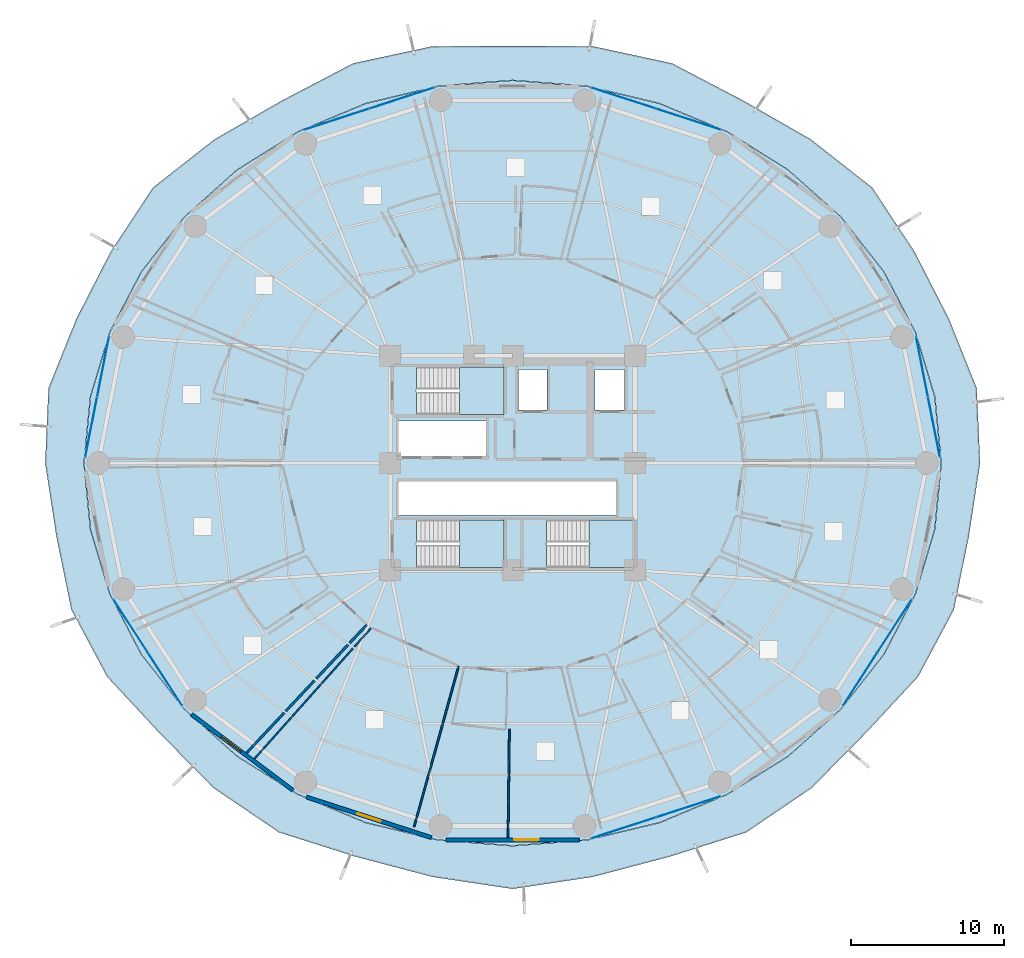
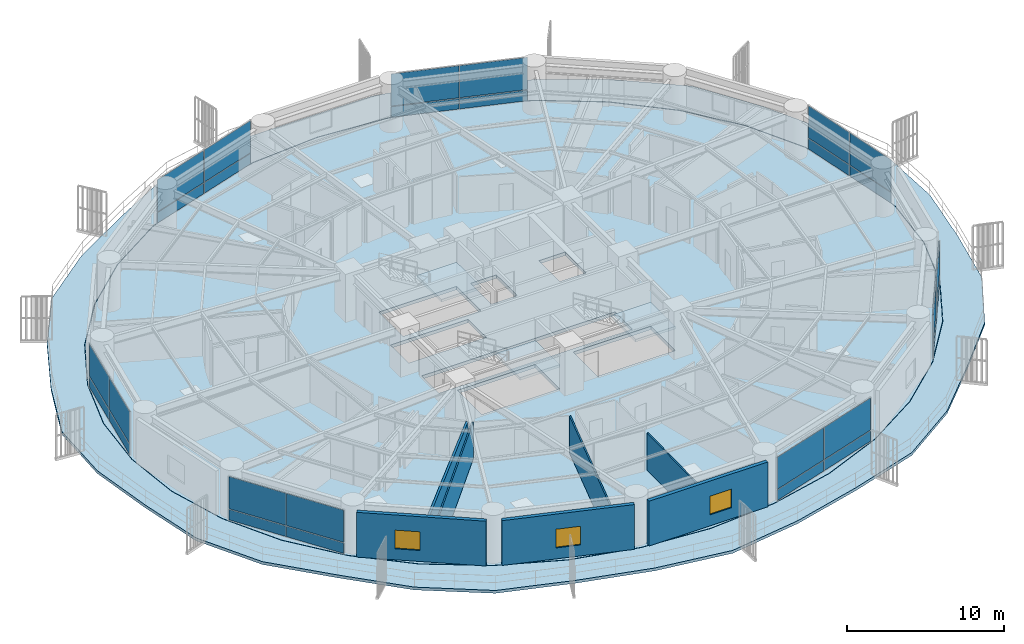
# One storey, part 23 of 34: 28 plates, 7 walls, 5 slabs, 3 windows, 3 openings, 10 elements without a shape of their own.
"""IFC4 building model written with IfcOpenShell, lengths in metres."""

from ifc_helpers import new_model, si_unit, direction, frame, frame_2d, origin, origin_2d, place, context, subcontext, project, spatial, polyline, rectangle, outline, extrude, source, transform, mapped, material, layer, layer_set, type_object, element, fill, aggregate, save


model = new_model("IFC4")

# Units and contexts
model_context = context("Model", 3, precision=1e-05, world=origin(), true_north=direction((0.0, 1.0)))
body_context = subcontext(model_context, "Body", "Model", "MODEL_VIEW")
ifc_project = project(units=[si_unit("LENGTHUNIT", "METRE"), si_unit("AREAUNIT", "SQUARE_METRE"), si_unit("VOLUMEUNIT", "CUBIC_METRE"), si_unit("PLANEANGLEUNIT", "RADIAN"), si_unit("MASSUNIT", "GRAM", prefix="KILO")], contexts=[model_context])

# Site, building, storey
site_placement = place(None, origin())
site = spatial("IfcSite", under=ifc_project, at=site_placement, CompositionType="ELEMENT")
building_placement = place(site_placement, origin())
building = spatial("IfcBuilding", under=site, at=building_placement, Name="Kelanora Arch Commons", CompositionType="ELEMENT")
storey_placement = place(building_placement, frame((0.0, 0.0, 30.0)))
storey = spatial("IfcBuildingStorey", under=building, at=storey_placement, Name="L07", CompositionType="ELEMENT", Elevation=30.0)

# Stair, slab
ifc_material_1 = material(Name="Concrete C40/50", Category="concrete")
stair_type = type_object("IfcStairType", Name="STR-DL-375", PredefinedType="HALF_TURN_STAIR", material=ifc_material_1)
stair_1_placement = place(storey_placement, origin())
stair_1 = element("IfcStair", 1, at=stair_1_placement, inside=storey, type_object=stair_type, Name="L07 ST-T1", PredefinedType="HALF_TURN_STAIR")
ifc_layer_1 = layer(ifc_material_1, 0.199951171875)
ifc_layer_set_1 = layer_set([ifc_layer_1], Name="Concrete C40/50")
slab_type_1 = type_object("IfcSlabType", Name="SLB-STAIR-LND", PredefinedType="LANDING", material=ifc_layer_set_1)
slab_1_placement = place(storey_placement, frame((0.0, 0.0, 1.675048828125)))
slab_1 = element("IfcSlab", 2, at=slab_1_placement, type_object=slab_type_1, Name="ST-T1 landing 1", PredefinedType="LANDING", context=body_context, shape_type="SweptSolid", body=[
    extrude(outline(polyline([(70.52001953125, 61.179931640625), (73.43994140625, 61.179931640625), (73.43994140625, 64.2900390625), (70.52001953125, 64.2900390625), (70.52001953125, 61.179931640625)])), origin(), (0.0, 0.0, 1.0), 0.199951171875),
])
aggregate(stair_1, [slab_1])

stair_2_placement = place(storey_placement, origin())
stair_2 = element("IfcStair", 3, at=stair_2_placement, inside=storey, type_object=stair_type, Name="L07 ST-T2", PredefinedType="HALF_TURN_STAIR")
slab_2_placement = place(storey_placement, frame((0.0, 0.0, 1.675048828125)))
slab_2 = element("IfcSlab", 4, at=slab_2_placement, type_object=slab_type_1, Name="ST-T2 landing 1", PredefinedType="LANDING", context=body_context, shape_type="SweptSolid", body=[
    extrude(outline(polyline([(79.0, 51.179931640625), (81.919921875, 51.179931640625), (81.919921875, 54.2900390625), (79.0, 54.2900390625), (79.0, 51.179931640625)])), origin(), (0.0, 0.0, 1.0), 0.199951171875),
])
aggregate(stair_2, [slab_2])

stair_3_placement = place(storey_placement, origin())
stair_3 = element("IfcStair", 5, at=stair_3_placement, inside=storey, type_object=stair_type, Name="L07 ST-T3", PredefinedType="HALF_TURN_STAIR")
slab_3_placement = place(storey_placement, frame((0.0, 0.0, 1.675048828125)))
slab_3 = element("IfcSlab", 6, at=slab_3_placement, type_object=slab_type_1, Name="ST-T3 landing 1", PredefinedType="LANDING", context=body_context, shape_type="SweptSolid", body=[
    extrude(outline(polyline([(70.52001953125, 51.179931640625), (73.43994140625, 51.179931640625), (73.43994140625, 54.2900390625), (70.52001953125, 54.2900390625), (70.52001953125, 51.179931640625)])), origin(), (0.0, 0.0, 1.0), 0.199951171875),
])
aggregate(stair_3, [slab_3])

# Slabs
ifc_layer_2 = layer(ifc_material_1, 0.260009765625)
ifc_layer_set_2 = layer_set([ifc_layer_2], Name="Concrete C40/50")
slab_type_2 = type_object("IfcSlabType", Name="SLB-TWR-TYP", PredefinedType="FLOOR", material=ifc_layer_set_2)
slab_4_placement = place(storey_placement, frame((0.0, 0.0, -0.260009765625)))
element("IfcSlab", 7, at=slab_4_placement, inside=storey, type_object=slab_type_2, Name="Tower Floor Slab L07", PredefinedType="FLOOR", context=body_context, shape_type="SweptSolid", body=[
    extrude(outline(polyline([(102.0, 58.0), (101.57470703125, 62.34130859375), (100.311279296875, 66.550537109375), (98.248779296875, 70.5), (95.44921875, 74.069580078125), (91.998046875, 77.151123046875), (88.0, 79.650634765625), (83.57666015625, 81.4921875), (78.862060546875, 82.6201171875), (74.0, 83.0), (69.137939453125, 82.6201171875), (64.42333984375, 81.4921875), (60.0, 79.650634765625), (56.001953125, 77.151123046875), (52.55078125, 74.069580078125), (49.751220703125, 70.5), (47.688720703125, 66.550537109375), (46.42529296875, 62.34130859375), (46.0, 58.0), (46.42529296875, 53.65869140625), (47.688720703125, 49.449462890625), (49.751220703125, 45.5), (52.55078125, 41.930419921875), (56.001953125, 38.848876953125), (60.0, 36.349365234375), (64.42333984375, 34.5078125), (69.137939453125, 33.3798828125), (74.0, 33.0), (78.862060546875, 33.3798828125), (83.57666015625, 34.5078125), (88.0, 36.349365234375), (91.998046875, 38.848876953125), (95.44921875, 41.930419921875), (98.248779296875, 45.5), (100.311279296875, 49.449462890625), (101.57470703125, 53.65869140625), (102.0, 58.0)]), holes=[polyline([(73.431884765625, 51.18798828125), (67.72802734375, 51.18798828125), (67.72802734375, 54.281982421875), (73.431884765625, 54.281982421875), (73.431884765625, 51.18798828125)]), polyline([(76.2080078125, 51.18798828125), (76.2080078125, 54.281982421875), (81.912109375, 54.281982421875), (81.912109375, 51.18798828125), (76.2080078125, 51.18798828125)]), polyline([(66.550048828125, 54.60009765625), (66.550048828125, 56.800048828125), (80.75, 56.800048828125), (80.75, 54.60009765625), (66.550048828125, 54.60009765625)]), polyline([(66.550048828125, 58.449951171875), (66.550048828125, 60.75), (72.25, 60.75), (72.25, 58.449951171875), (66.550048828125, 58.449951171875)]), polyline([(67.72802734375, 61.18798828125), (67.72802734375, 64.281982421875), (73.431884765625, 64.281982421875), (73.431884765625, 61.18798828125), (67.72802734375, 61.18798828125)]), polyline([(74.3798828125, 61.47998046875), (74.3798828125, 64.1201171875), (76.260009765625, 64.1201171875), (76.260009765625, 61.47998046875), (74.3798828125, 61.47998046875)]), polyline([(79.3798828125, 61.47998046875), (79.3798828125, 64.1201171875), (81.320068359375, 64.1201171875), (81.320068359375, 61.47998046875), (79.3798828125, 61.47998046875)])]), origin(), (0.0, 0.0, 1.0), 0.260009765625),
])
ifc_layer_3 = layer(ifc_material_1, 0.219970703125)
ifc_layer_set_3 = layer_set([ifc_layer_3], Name="Concrete C40/50")
slab_type_3 = type_object("IfcSlabType", Name="SLB-WAVE-BAL", PredefinedType="FLOOR", material=ifc_layer_set_3)
slab_5_placement = place(storey_placement, frame((0.0, 0.0, -0.219970703125)))
element("IfcSlab", 8, at=slab_5_placement, inside=storey, type_object=slab_type_3, Name="Sinusoidal Wave Balcony Slab L07", PredefinedType="FLOOR", context=body_context, shape_type="SweptSolid", body=[
    extrude(outline(polyline([(104.544921875, 58.0), (104.32958984375, 62.88525390625), (102.50146484375, 67.443359375), (100.268310546875, 71.805908203125), (97.504638671875, 76.00146484375), (93.494873046875, 79.14892578125), (89.054931640625, 81.697265625), (84.429443359375, 84.11669921875), (79.272705078125, 85.228759765625), (74.0, 85.264892578125), (68.727294921875, 85.228759765625), (63.570556640625, 84.11669921875), (58.945068359375, 81.697265625), (54.505126953125, 79.14892578125), (50.495361328125, 76.00146484375), (47.731689453125, 71.805908203125), (45.49853515625, 67.443359375), (43.67041015625, 62.88525390625), (43.455078125, 58.0), (44.186767578125, 53.216796875), (45.165283203125, 48.4208984375), (47.49658203125, 44.0419921875), (50.897216796875, 40.376220703125), (54.44677734375, 36.773193359375), (58.722900390625, 33.87158203125), (63.703125, 32.291259765625), (68.7568359375, 30.96044921875), (74.0, 30.175048828125), (79.2431640625, 30.96044921875), (84.296875, 32.291259765625), (89.277099609375, 33.87158203125), (93.55322265625, 36.773193359375), (97.102783203125, 40.376220703125), (100.50341796875, 44.0419921875), (102.834716796875, 48.4208984375), (103.813232421875, 53.216796875), (104.544921875, 58.0)]), holes=[polyline([(101.59423828125, 53.6552734375), (100.330078125, 49.442626953125), (98.26611328125, 45.489990234375), (95.464599609375, 41.91748046875), (92.010986328125, 38.83349609375), (88.010009765625, 36.33203125), (83.58349609375, 34.489013671875), (78.865478515625, 33.360107421875), (74.0, 32.97998046875), (69.134521484375, 33.360107421875), (64.41650390625, 34.489013671875), (59.989990234375, 36.33203125), (55.989013671875, 38.83349609375), (52.535400390625, 41.91748046875), (49.73388671875, 45.489990234375), (47.669921875, 49.442626953125), (46.40576171875, 53.6552734375), (45.97998046875, 58.0), (46.40576171875, 62.3447265625), (47.669921875, 66.557373046875), (49.73388671875, 70.510009765625), (52.535400390625, 74.08251953125), (55.989013671875, 77.16650390625), (59.989990234375, 79.66796875), (64.41650390625, 81.510986328125), (69.134521484375, 82.639892578125), (74.0, 83.02001953125), (78.865478515625, 82.639892578125), (83.58349609375, 81.510986328125), (88.010009765625, 79.66796875), (92.010986328125, 77.16650390625), (95.464599609375, 74.08251953125), (98.26611328125, 70.510009765625), (100.330078125, 66.557373046875), (101.59423828125, 62.3447265625), (102.02001953125, 58.0), (101.59423828125, 53.6552734375)])]), origin(), (0.0, 0.0, 1.0), 0.219970703125),
])

# Curtain wall, plates
ifc_material_2 = material(Name="Terracotta ceramic-fritted low-E glass and aluminium", Category="masonry")
ifc_layer_4 = layer(ifc_material_2, 0.159912109375)
ifc_layer_set_4 = layer_set([ifc_layer_4], Name="Terracotta ceramic-fritted low-E glass and aluminium")
curtain_wall_type = type_object("IfcCurtainWallType", Name="CW-SYS-01", PredefinedType="NOTDEFINED", material=ifc_layer_set_4)
curtain_wall_1_placement = place(storey_placement, origin())
curtain_wall_1 = element("IfcCurtainWall", 9, at=curtain_wall_1_placement, inside=storey, type_object=curtain_wall_type, Name="Unitised Curtain Wall L07-B00", PredefinedType="NOTDEFINED")
ifc_material_3 = material(Name="Terracotta ceramic-fritted double glazing", Category="masonry")
ifc_layer_5 = layer(ifc_material_3, 0.028076171875)
ifc_layer_set_5 = layer_set([ifc_layer_5], Name="Terracotta ceramic-fritted double glazing")
plate_type = type_object("IfcPlateType", Name="CWP-FRIT", PredefinedType="CURTAIN_PANEL", material=ifc_layer_set_5)
shared_shape_1 = source(origin(), body_context, "Body", "SweptSolid", [
    extrude(rectangle(XDim=3.9482421875, YDim=0.028076171875, at=origin_2d()), origin(), (0.0, 0.0, 1.0), 0.81005859375),
])
plate_1_placement = place(storey_placement, frame((101.536865234375, 60.34521484375, 0.06005859375), z_axis=(0.0, 0.0, 1.0), x_axis=(-0.193744048498, 0.981052110579, 0.0)))
plate_1 = element("IfcPlate", 10, at=plate_1_placement, type_object=plate_type, Name="CW-01 panel 1.1", PredefinedType="CURTAIN_PANEL", context=body_context, shape_type="MappedRepresentation", body=[
    mapped(shared_shape_1, transform((0.0, 0.0, 0.0), scale=1.0)),
])
plate_2_placement = place(storey_placement, frame((100.76025390625, 64.277587890625, 0.06005859375), z_axis=(0.0, 0.0, 1.0), x_axis=(-0.193744048498, 0.981052110579, 0.0)))
plate_2 = element("IfcPlate", 11, at=plate_2_placement, type_object=plate_type, Name="CW-01 panel 2.1", PredefinedType="CURTAIN_PANEL", context=body_context, shape_type="MappedRepresentation", body=[
    mapped(shared_shape_1, transform((0.0, 0.0, 0.0), scale=1.0)),
])

curtain_wall_2_placement = place(storey_placement, origin())
curtain_wall_2 = element("IfcCurtainWall", 12, at=curtain_wall_2_placement, inside=storey, type_object=curtain_wall_type, Name="Unitised Curtain Wall L07-B08", PredefinedType="NOTDEFINED")
plate_3_placement = place(storey_placement, frame((47.23974609375, 64.277587890625, 0.06005859375), z_axis=(0.0, 0.0, 1.0), x_axis=(-0.193744048498, -0.981052110579, 0.0)))
plate_3 = element("IfcPlate", 13, at=plate_3_placement, type_object=plate_type, Name="CW-01 panel 1.1", PredefinedType="CURTAIN_PANEL", context=body_context, shape_type="MappedRepresentation", body=[
    mapped(shared_shape_1, transform((0.0, 0.0, 0.0), scale=1.0)),
])
plate_4_placement = place(storey_placement, frame((46.463134765625, 60.34521484375, 0.06005859375), z_axis=(0.0, 0.0, 1.0), x_axis=(-0.193744048498, -0.981052110579, 0.0)))
plate_4 = element("IfcPlate", 14, at=plate_4_placement, type_object=plate_type, Name="CW-01 panel 2.1", PredefinedType="CURTAIN_PANEL", context=body_context, shape_type="MappedRepresentation", body=[
    mapped(shared_shape_1, transform((0.0, 0.0, 0.0), scale=1.0)),
])

# Plate
shared_shape_2 = source(origin(), body_context, "Body", "SweptSolid", [
    extrude(rectangle(XDim=3.9482421875, YDim=0.028076171875, at=origin_2d()), origin(), (0.0, 0.0, 1.0), 2.485107421875),
])
plate_5_placement = place(storey_placement, frame((101.536865234375, 60.34521484375, 0.93017578125), z_axis=(0.0, 0.0, 1.0), x_axis=(-0.193744048498, 0.981052110579, 0.0)))
plate_5 = element("IfcPlate", 15, at=plate_5_placement, type_object=plate_type, Name="CW-01 panel 1.2", PredefinedType="CURTAIN_PANEL", context=body_context, shape_type="MappedRepresentation", body=[
    mapped(shared_shape_2, transform((0.0, 0.0, 0.0), scale=1.0)),
])

plate_6_placement = place(storey_placement, frame((100.76025390625, 64.277587890625, 0.93017578125), z_axis=(0.0, 0.0, 1.0), x_axis=(-0.193744048498, 0.981052110579, 0.0)))
plate_6 = element("IfcPlate", 16, at=plate_6_placement, type_object=plate_type, Name="CW-01 panel 2.2", PredefinedType="CURTAIN_PANEL", context=body_context, shape_type="MappedRepresentation", body=[
    mapped(shared_shape_2, transform((0.0, 0.0, 0.0), scale=1.0)),
])

aggregate(curtain_wall_1, [plate_1, plate_5, plate_2, plate_6])

plate_7_placement = place(storey_placement, frame((47.23974609375, 64.277587890625, 0.93017578125), z_axis=(0.0, 0.0, 1.0), x_axis=(-0.193744048498, -0.981052110579, 0.0)))
plate_7 = element("IfcPlate", 17, at=plate_7_placement, type_object=plate_type, Name="CW-01 panel 1.2", PredefinedType="CURTAIN_PANEL", context=body_context, shape_type="MappedRepresentation", body=[
    mapped(shared_shape_2, transform((0.0, 0.0, 0.0), scale=1.0)),
])

plate_8_placement = place(storey_placement, frame((46.463134765625, 60.34521484375, 0.93017578125), z_axis=(0.0, 0.0, 1.0), x_axis=(-0.193744048498, -0.981052110579, 0.0)))
plate_8 = element("IfcPlate", 18, at=plate_8_placement, type_object=plate_type, Name="CW-01 panel 2.2", PredefinedType="CURTAIN_PANEL", context=body_context, shape_type="MappedRepresentation", body=[
    mapped(shared_shape_2, transform((0.0, 0.0, 0.0), scale=1.0)),
])

aggregate(curtain_wall_2, [plate_3, plate_7, plate_4, plate_8])

# Curtain wall, plates
curtain_wall_3_placement = place(storey_placement, origin())
curtain_wall_3 = element("IfcCurtainWall", 19, at=curtain_wall_3_placement, inside=storey, type_object=curtain_wall_type, Name="Unitised Curtain Wall L07-B03", PredefinedType="NOTDEFINED")
shared_shape_3 = source(origin(), body_context, "Body", "SweptSolid", [
    extrude(rectangle(XDim=4.39453125, YDim=0.028076171875, at=origin_2d()), origin(), (0.0, 0.0, 1.0), 0.81005859375),
])
plate_9_placement = place(storey_placement, frame((85.4892578125, 80.466552734375, 0.06005859375), z_axis=(0.0, 0.0, 1.0), x_axis=(-0.951043326793, 0.30905758454, 0.0)))
plate_9 = element("IfcPlate", 20, at=plate_9_placement, type_object=plate_type, Name="CW-01 panel 1.1", PredefinedType="CURTAIN_PANEL", context=body_context, shape_type="MappedRepresentation", body=[
    mapped(shared_shape_3, transform((0.0, 0.0, 0.0), scale=1.0)),
])
plate_10_placement = place(storey_placement, frame((81.252685546875, 81.84326171875, 0.06005859375), z_axis=(0.0, 0.0, 1.0), x_axis=(-0.951043326793, 0.30905758454, 0.0)))
plate_10 = element("IfcPlate", 21, at=plate_10_placement, type_object=plate_type, Name="CW-01 panel 2.1", PredefinedType="CURTAIN_PANEL", context=body_context, shape_type="MappedRepresentation", body=[
    mapped(shared_shape_3, transform((0.0, 0.0, 0.0), scale=1.0)),
])

curtain_wall_4_placement = place(storey_placement, origin())
curtain_wall_4 = element("IfcCurtainWall", 22, at=curtain_wall_4_placement, inside=storey, type_object=curtain_wall_type, Name="Unitised Curtain Wall L07-B05", PredefinedType="NOTDEFINED")
plate_11_placement = place(storey_placement, frame((66.747314453125, 81.84326171875, 0.06005859375), z_axis=(0.0, 0.0, 1.0), x_axis=(-0.951043326793, -0.30905758454, 0.0)))
plate_11 = element("IfcPlate", 23, at=plate_11_placement, type_object=plate_type, Name="CW-01 panel 1.1", PredefinedType="CURTAIN_PANEL", context=body_context, shape_type="MappedRepresentation", body=[
    mapped(shared_shape_3, transform((0.0, 0.0, 0.0), scale=1.0)),
])
plate_12_placement = place(storey_placement, frame((62.5107421875, 80.466552734375, 0.06005859375), z_axis=(0.0, 0.0, 1.0), x_axis=(-0.951043326793, -0.30905758454, 0.0)))
plate_12 = element("IfcPlate", 24, at=plate_12_placement, type_object=plate_type, Name="CW-01 panel 2.1", PredefinedType="CURTAIN_PANEL", context=body_context, shape_type="MappedRepresentation", body=[
    mapped(shared_shape_3, transform((0.0, 0.0, 0.0), scale=1.0)),
])

curtain_wall_5_placement = place(storey_placement, origin())
curtain_wall_5 = element("IfcCurtainWall", 25, at=curtain_wall_5_placement, inside=storey, type_object=curtain_wall_type, Name="Unitised Curtain Wall L07-B14", PredefinedType="NOTDEFINED")
plate_13_placement = place(storey_placement, frame((81.252685546875, 34.15673828125, 0.06005859375), z_axis=(0.0, 0.0, 1.0), x_axis=(0.951043326793, 0.30905758454, 0.0)))
plate_13 = element("IfcPlate", 26, at=plate_13_placement, type_object=plate_type, Name="CW-01 panel 1.1", PredefinedType="CURTAIN_PANEL", context=body_context, shape_type="MappedRepresentation", body=[
    mapped(shared_shape_3, transform((0.0, 0.0, 0.0), scale=1.0)),
])
plate_14_placement = place(storey_placement, frame((85.4892578125, 35.533447265625, 0.06005859375), z_axis=(0.0, 0.0, 1.0), x_axis=(0.951043326793, 0.30905758454, 0.0)))
plate_14 = element("IfcPlate", 27, at=plate_14_placement, type_object=plate_type, Name="CW-01 panel 2.1", PredefinedType="CURTAIN_PANEL", context=body_context, shape_type="MappedRepresentation", body=[
    mapped(shared_shape_3, transform((0.0, 0.0, 0.0), scale=1.0)),
])

# Plate
shared_shape_4 = source(origin(), body_context, "Body", "SweptSolid", [
    extrude(rectangle(XDim=4.39453125, YDim=0.028076171875, at=origin_2d()), origin(), (0.0, 0.0, 1.0), 2.485107421875),
])
plate_15_placement = place(storey_placement, frame((85.4892578125, 80.466552734375, 0.93017578125), z_axis=(0.0, 0.0, 1.0), x_axis=(-0.951043326793, 0.30905758454, 0.0)))
plate_15 = element("IfcPlate", 28, at=plate_15_placement, type_object=plate_type, Name="CW-01 panel 1.2", PredefinedType="CURTAIN_PANEL", context=body_context, shape_type="MappedRepresentation", body=[
    mapped(shared_shape_4, transform((0.0, 0.0, 0.0), scale=1.0)),
])

plate_16_placement = place(storey_placement, frame((81.252685546875, 81.84326171875, 0.93017578125), z_axis=(0.0, 0.0, 1.0), x_axis=(-0.951043326793, 0.30905758454, 0.0)))
plate_16 = element("IfcPlate", 29, at=plate_16_placement, type_object=plate_type, Name="CW-01 panel 2.2", PredefinedType="CURTAIN_PANEL", context=body_context, shape_type="MappedRepresentation", body=[
    mapped(shared_shape_4, transform((0.0, 0.0, 0.0), scale=1.0)),
])

aggregate(curtain_wall_3, [plate_9, plate_15, plate_10, plate_16])

plate_17_placement = place(storey_placement, frame((66.747314453125, 81.84326171875, 0.93017578125), z_axis=(0.0, 0.0, 1.0), x_axis=(-0.951043326793, -0.30905758454, 0.0)))
plate_17 = element("IfcPlate", 30, at=plate_17_placement, type_object=plate_type, Name="CW-01 panel 1.2", PredefinedType="CURTAIN_PANEL", context=body_context, shape_type="MappedRepresentation", body=[
    mapped(shared_shape_4, transform((0.0, 0.0, 0.0), scale=1.0)),
])

plate_18_placement = place(storey_placement, frame((62.5107421875, 80.466552734375, 0.93017578125), z_axis=(0.0, 0.0, 1.0), x_axis=(-0.951043326793, -0.30905758454, 0.0)))
plate_18 = element("IfcPlate", 31, at=plate_18_placement, type_object=plate_type, Name="CW-01 panel 2.2", PredefinedType="CURTAIN_PANEL", context=body_context, shape_type="MappedRepresentation", body=[
    mapped(shared_shape_4, transform((0.0, 0.0, 0.0), scale=1.0)),
])

aggregate(curtain_wall_4, [plate_11, plate_17, plate_12, plate_18])

plate_19_placement = place(storey_placement, frame((81.252685546875, 34.15673828125, 0.93017578125), z_axis=(0.0, 0.0, 1.0), x_axis=(0.951043326793, 0.30905758454, 0.0)))
plate_19 = element("IfcPlate", 32, at=plate_19_placement, type_object=plate_type, Name="CW-01 panel 1.2", PredefinedType="CURTAIN_PANEL", context=body_context, shape_type="MappedRepresentation", body=[
    mapped(shared_shape_4, transform((0.0, 0.0, 0.0), scale=1.0)),
])

plate_20_placement = place(storey_placement, frame((85.4892578125, 35.533447265625, 0.93017578125), z_axis=(0.0, 0.0, 1.0), x_axis=(0.951043326793, 0.30905758454, 0.0)))
plate_20 = element("IfcPlate", 33, at=plate_20_placement, type_object=plate_type, Name="CW-01 panel 2.2", PredefinedType="CURTAIN_PANEL", context=body_context, shape_type="MappedRepresentation", body=[
    mapped(shared_shape_4, transform((0.0, 0.0, 0.0), scale=1.0)),
])

aggregate(curtain_wall_5, [plate_13, plate_19, plate_14, plate_20])

# Curtain wall, plates
curtain_wall_6_placement = place(storey_placement, origin())
curtain_wall_6 = element("IfcCurtainWall", 34, at=curtain_wall_6_placement, inside=storey, type_object=curtain_wall_type, Name="Unitised Curtain Wall L07-B10", PredefinedType="NOTDEFINED")
shared_shape_5 = source(origin(), body_context, "Body", "SweptSolid", [
    extrude(rectangle(XDim=4.06787109375, YDim=0.028076171875, at=origin_2d()), origin(), (0.0, 0.0, 1.0), 0.81005859375),
])
plate_21_placement = place(storey_placement, frame((49.04833984375, 47.346435546875, 0.06005859375), z_axis=(0.0, 0.0, 1.0), x_axis=(0.543004441812, -0.83972982332, 0.0)))
plate_21 = element("IfcPlate", 35, at=plate_21_placement, type_object=plate_type, Name="CW-01 panel 1.1", PredefinedType="CURTAIN_PANEL", context=body_context, shape_type="MappedRepresentation", body=[
    mapped(shared_shape_5, transform((0.0, 0.0, 0.0), scale=1.0)),
])
plate_22_placement = place(storey_placement, frame((51.289794921875, 43.880126953125, 0.06005859375), z_axis=(0.0, 0.0, 1.0), x_axis=(0.543004441812, -0.83972982332, 0.0)))
plate_22 = element("IfcPlate", 36, at=plate_22_placement, type_object=plate_type, Name="CW-01 panel 2.1", PredefinedType="CURTAIN_PANEL", context=body_context, shape_type="MappedRepresentation", body=[
    mapped(shared_shape_5, transform((0.0, 0.0, 0.0), scale=1.0)),
])

curtain_wall_7_placement = place(storey_placement, origin())
curtain_wall_7 = element("IfcCurtainWall", 37, at=curtain_wall_7_placement, inside=storey, type_object=curtain_wall_type, Name="Unitised Curtain Wall L07-B16", PredefinedType="NOTDEFINED")
plate_23_placement = place(storey_placement, frame((96.710205078125, 43.880126953125, 0.06005859375), z_axis=(0.0, 0.0, 1.0), x_axis=(0.543004441812, 0.83972982332, 0.0)))
plate_23 = element("IfcPlate", 38, at=plate_23_placement, type_object=plate_type, Name="CW-01 panel 1.1", PredefinedType="CURTAIN_PANEL", context=body_context, shape_type="MappedRepresentation", body=[
    mapped(shared_shape_5, transform((0.0, 0.0, 0.0), scale=1.0)),
])
plate_24_placement = place(storey_placement, frame((98.95166015625, 47.346435546875, 0.06005859375), z_axis=(0.0, 0.0, 1.0), x_axis=(0.543004441812, 0.83972982332, 0.0)))
plate_24 = element("IfcPlate", 39, at=plate_24_placement, type_object=plate_type, Name="CW-01 panel 2.1", PredefinedType="CURTAIN_PANEL", context=body_context, shape_type="MappedRepresentation", body=[
    mapped(shared_shape_5, transform((0.0, 0.0, 0.0), scale=1.0)),
])

# Plate
shared_shape_6 = source(origin(), body_context, "Body", "SweptSolid", [
    extrude(rectangle(XDim=4.06787109375, YDim=0.028076171875, at=origin_2d()), origin(), (0.0, 0.0, 1.0), 2.485107421875),
])
plate_25_placement = place(storey_placement, frame((49.04833984375, 47.346435546875, 0.93017578125), z_axis=(0.0, 0.0, 1.0), x_axis=(0.543004441812, -0.83972982332, 0.0)))
plate_25 = element("IfcPlate", 40, at=plate_25_placement, type_object=plate_type, Name="CW-01 panel 1.2", PredefinedType="CURTAIN_PANEL", context=body_context, shape_type="MappedRepresentation", body=[
    mapped(shared_shape_6, transform((0.0, 0.0, 0.0), scale=1.0)),
])

plate_26_placement = place(storey_placement, frame((51.289794921875, 43.880126953125, 0.93017578125), z_axis=(0.0, 0.0, 1.0), x_axis=(0.543004441812, -0.83972982332, 0.0)))
plate_26 = element("IfcPlate", 41, at=plate_26_placement, type_object=plate_type, Name="CW-01 panel 2.2", PredefinedType="CURTAIN_PANEL", context=body_context, shape_type="MappedRepresentation", body=[
    mapped(shared_shape_6, transform((0.0, 0.0, 0.0), scale=1.0)),
])

aggregate(curtain_wall_6, [plate_21, plate_25, plate_22, plate_26])

plate_27_placement = place(storey_placement, frame((96.710205078125, 43.880126953125, 0.93017578125), z_axis=(0.0, 0.0, 1.0), x_axis=(0.543004441812, 0.83972982332, 0.0)))
plate_27 = element("IfcPlate", 42, at=plate_27_placement, type_object=plate_type, Name="CW-01 panel 1.2", PredefinedType="CURTAIN_PANEL", context=body_context, shape_type="MappedRepresentation", body=[
    mapped(shared_shape_6, transform((0.0, 0.0, 0.0), scale=1.0)),
])

plate_28_placement = place(storey_placement, frame((98.95166015625, 47.346435546875, 0.93017578125), z_axis=(0.0, 0.0, 1.0), x_axis=(0.543004441812, 0.83972982332, 0.0)))
plate_28 = element("IfcPlate", 43, at=plate_28_placement, type_object=plate_type, Name="CW-01 panel 2.2", PredefinedType="CURTAIN_PANEL", context=body_context, shape_type="MappedRepresentation", body=[
    mapped(shared_shape_6, transform((0.0, 0.0, 0.0), scale=1.0)),
])

aggregate(curtain_wall_7, [plate_23, plate_27, plate_24, plate_28])

# Wall
ifc_material_4 = material(Name="Autoclaved aerated concrete blockwork with fire plaster", Category="masonry")
ifc_layer_6 = layer(ifc_material_4, 0.14990234375)
ifc_layer_set_6 = layer_set([ifc_layer_6], Name="Autoclaved aerated concrete blockwork with fire plaster")
wall_type_1 = type_object("IfcWallType", Name="W-COMP-150", PredefinedType="PARTITIONING", material=ifc_layer_set_6)
wall_1_placement = place(storey_placement, frame((64.45849609375, 47.418701171875, 0.0), z_axis=(0.0, 0.0, 1.0), x_axis=(-0.684261294523, -0.729236916796, 0.0)))
element("IfcWall", 44, at=wall_1_placement, inside=storey, type_object=wall_type_1, Name="Co-Living Studio L07-09 Enclosure Partition 2", PredefinedType="PARTITIONING", context=body_context, shape_type="SweptSolid", body=[
    extrude(rectangle(XDim=11.4375, YDim=0.14990234375, at=frame_2d((5.71875, 0.0))), origin(), (0.0, 0.0, 1.0), 2.875),
])

# Wall, opening, window
ifc_material_5 = material(Name="Precast concrete C40/50 with terracotta rainscreen", Category="masonry")
ifc_layer_7 = layer(ifc_material_5, 0.260009765625)
ifc_layer_set_7 = layer_set([ifc_layer_7], Name="Precast concrete C40/50 with terracotta rainscreen")
wall_type_2 = type_object("IfcWallType", Name="W-EXT-TC", PredefinedType="SOLIDWALL", material=ifc_layer_set_7)
wall_2_placement = place(storey_placement, frame((53.01611328125, 41.581787109375, 0.0), z_axis=(0.0, 0.0, 1.0), x_axis=(0.80030733173, -0.599590005569, 0.0)))
wall_2 = element("IfcWall", 45, at=wall_2_placement, inside=storey, type_object=wall_type_2, Name="Terracotta Exterior Wall L07-B11", PredefinedType="SOLIDWALL", context=body_context, shape_type="SweptSolid", body=[
    extrude(rectangle(XDim=8.29052734375, YDim=0.260009765625, at=frame_2d((4.145263671875, 0.0))), origin(), (0.0, 0.0, 1.0), 3.47509765625),
])
opening_1_placement = place(wall_2_placement, frame((2.445068359375, 0.0, 0.85009765625)))
opening_1 = element("IfcOpeningElement", 46, at=opening_1_placement, cuts=wall_2, Name="Opening WN-01", PredefinedType="OPENING", context=body_context, shape_type="SweptSolid", body=[
    extrude(rectangle(XDim=1.60009765625, YDim=1.449951171875, at=frame_2d((0.800048828125, 0.72509765625))), frame((0.0, 0.14013671875, 0.0), z_axis=(0.0, -1.0, 0.0), x_axis=(1.0, 0.0, 0.0)), (0.0, 0.0, 1.0), 0.280029296875),
])
ifc_material_6 = material(Name="Terracotta-anodised aluminium frame with operable low-E glazing", Category="masonry")
window_type = type_object("IfcWindowType", Name="WIN-CL-18", PartitioningType="DOUBLE_PANEL_VERTICAL", PredefinedType="WINDOW", material=ifc_material_6)
window_1_placement = place(opening_1_placement, origin())
window_1 = element("IfcWindow", 47, at=window_1_placement, inside=storey, type_object=window_type, Name="Co-Living Operable Window L07-B11", OverallHeight=1.449951171875, OverallWidth=1.60009765625, PartitioningType="SINGLE_PANEL", PredefinedType="WINDOW", context=body_context, shape_type="SweptSolid", body=[
    extrude(rectangle(XDim=1.60009765625, YDim=1.449951171875, at=frame_2d((0.800048828125, 0.72509765625))), frame((0.0, 0.030029296875, 0.0), z_axis=(0.0, -1.0, 0.0), x_axis=(1.0, 0.0, 0.0)), (0.0, 0.0, 1.0), 0.06005859375),
])
fill(opening_1, window_1)

wall_3_placement = place(storey_placement, frame((60.5263671875, 36.178466796875, 0.0), z_axis=(0.0, 0.0, 1.0), x_axis=(0.951039914291, -0.309068085421, 0.0)))
wall_3 = element("IfcWall", 48, at=wall_3_placement, inside=storey, type_object=wall_type_2, Name="Terracotta Exterior Wall L07-B12", PredefinedType="SOLIDWALL", context=body_context, shape_type="SweptSolid", body=[
    extrude(rectangle(XDim=8.593505859375, YDim=0.260009765625, at=frame_2d((4.296875, 0.0))), origin(), (0.0, 0.0, 1.0), 3.47509765625),
])
opening_2_placement = place(wall_3_placement, frame((3.4970703125, 0.0, 0.85009765625)))
opening_2 = element("IfcOpeningElement", 49, at=opening_2_placement, cuts=wall_3, Name="Opening WN-01", PredefinedType="OPENING", context=body_context, shape_type="SweptSolid", body=[
    extrude(rectangle(XDim=1.60009765625, YDim=1.449951171875, at=frame_2d((0.800048828125, 0.72509765625))), frame((0.0, 0.14013671875, 0.0), z_axis=(0.0, -1.0, 0.0), x_axis=(1.0, 0.0, 0.0)), (0.0, 0.0, 1.0), 0.280029296875),
])
window_2_placement = place(opening_2_placement, origin())
window_2 = element("IfcWindow", 50, at=window_2_placement, inside=storey, type_object=window_type, Name="Co-Living Operable Window L07-B12", OverallHeight=1.449951171875, OverallWidth=1.60009765625, PartitioningType="SINGLE_PANEL", PredefinedType="WINDOW", context=body_context, shape_type="SweptSolid", body=[
    extrude(rectangle(XDim=1.60009765625, YDim=1.449951171875, at=frame_2d((0.800048828125, 0.72509765625))), frame((0.0, 0.030029296875, 0.0), z_axis=(0.0, -1.0, 0.0), x_axis=(1.0, 0.0, 0.0)), (0.0, 0.0, 1.0), 0.06005859375),
])
fill(opening_2, window_2)

wall_4_placement = place(storey_placement, frame((69.64404296875, 33.3798828125, 0.0), z_axis=(0.0, 0.0, 1.0), x_axis=(1.0, 0.0, 0.0)))
wall_4 = element("IfcWall", 51, at=wall_4_placement, inside=storey, type_object=wall_type_2, Name="Terracotta Exterior Wall L07-B13", PredefinedType="SOLIDWALL", context=body_context, shape_type="SweptSolid", body=[
    extrude(rectangle(XDim=8.7119140625, YDim=0.260009765625, at=frame_2d((4.35595703125, 0.0))), origin(), (0.0, 0.0, 1.0), 3.47509765625),
])
opening_3_placement = place(wall_4_placement, frame((4.4560546875, 0.0, 0.85009765625)))
opening_3 = element("IfcOpeningElement", 52, at=opening_3_placement, cuts=wall_4, Name="Opening WN-01", PredefinedType="OPENING", context=body_context, shape_type="SweptSolid", body=[
    extrude(rectangle(XDim=1.60009765625, YDim=1.449951171875, at=frame_2d((0.800048828125, 0.72509765625))), frame((0.0, 0.14013671875, 0.0), z_axis=(0.0, -1.0, 0.0), x_axis=(1.0, 0.0, 0.0)), (0.0, 0.0, 1.0), 0.280029296875),
])
window_3_placement = place(opening_3_placement, origin())
window_3 = element("IfcWindow", 53, at=window_3_placement, inside=storey, type_object=window_type, Name="Co-Living Operable Window L07-B13", OverallHeight=1.449951171875, OverallWidth=1.60009765625, PartitioningType="SINGLE_PANEL", PredefinedType="WINDOW", context=body_context, shape_type="SweptSolid", body=[
    extrude(rectangle(XDim=1.60009765625, YDim=1.449951171875, at=frame_2d((0.800048828125, 0.72509765625))), frame((0.0, 0.030029296875, 0.0), z_axis=(0.0, -1.0, 0.0), x_axis=(1.0, 0.0, 0.0)), (0.0, 0.0, 1.0), 0.06005859375),
])
fill(opening_3, window_3)

# Walls
ifc_material_7 = material(Name="Lightweight fire-rated acoustic stud partition")
ifc_layer_8 = layer(ifc_material_7, 0.10009765625)
ifc_layer_set_8 = layer_set([ifc_layer_8], Name="Lightweight fire-rated acoustic stud partition")
wall_type_3 = type_object("IfcWallType", Name="W-PART-100", PredefinedType="PARTITIONING", material=ifc_layer_set_8)
wall_5_placement = place(storey_placement, frame((70.46630859375, 44.71142578125, 0.0), z_axis=(0.0, 0.0, 1.0), x_axis=(-0.26671307518, -0.963775977875, 0.0)))
element("IfcWall", 54, at=wall_5_placement, inside=storey, type_object=wall_type_3, Name="Quiet Seminar Study Room L07-10 Enclosure Partition 2", PredefinedType="PARTITIONING", context=body_context, shape_type="SweptSolid", body=[
    extrude(rectangle(XDim=10.864501953125, YDim=0.10009765625, at=frame_2d((5.43212890625, 0.0))), origin(), (0.0, 0.0, 1.0), 2.875),
])
wall_6_placement = place(storey_placement, frame((57.156494140625, 38.705810546875, 0.0), z_axis=(0.0, 0.0, 1.0), x_axis=(0.66580890104, 0.746122313897, 0.0)))
element("IfcWall", 55, at=wall_6_placement, inside=storey, type_object=wall_type_3, Name="Quiet Seminar Study Room L07-10 Enclosure Partition 4", PredefinedType="PARTITIONING", context=body_context, shape_type="SweptSolid", body=[
    extrude(rectangle(XDim=11.3994140625, YDim=0.10009765625, at=frame_2d((5.69970703125, 0.0))), origin(), (0.0, 0.0, 1.0), 2.875),
])
wall_7_placement = place(storey_placement, frame((73.701416015625, 33.56103515625, 0.0), z_axis=(0.0, 0.0, 1.0), x_axis=(0.012537113793, 0.9999214073, 0.0)))
element("IfcWall", 56, at=wall_7_placement, inside=storey, type_object=wall_type_3, Name="Quiet Reading Carrel L07-11 Enclosure Partition 4", PredefinedType="PARTITIONING", context=body_context, shape_type="SweptSolid", body=[
    extrude(rectangle(XDim=7.04931640625, YDim=0.10009765625, at=frame_2d((3.524658203125, 0.0))), origin(), (0.0, 0.0, 1.0), 2.875),
])

save(model, "model.ifc")
